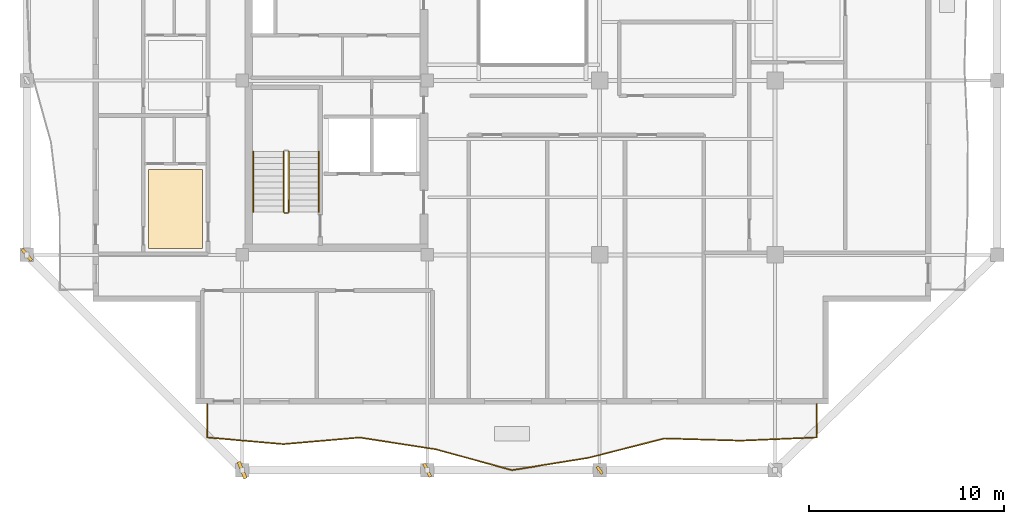
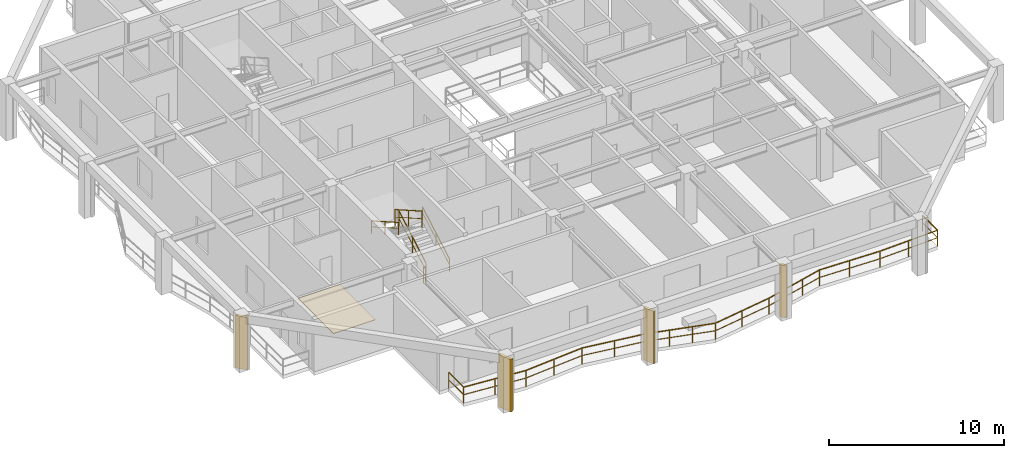
# One storey, part 7 of 11: 6 railings, 4 shading devices, 1 covering.
"""IFC4 building model written with IfcOpenShell, lengths in metres."""

from ifc_helpers import new_model, si_unit, direction, frame, origin, origin_2d, place, context, subcontext, project, spatial, polyline, rectangle, outline, extrude, material, layer, layer_set, type_object, element, save


model = new_model("IFC4")

# Units and contexts
model_context = context("Model", 3, precision=1e-05, world=origin(), true_north=direction((0.0, 1.0)))
body_context = subcontext(model_context, "Body", "Model", "MODEL_VIEW")
ifc_project = project(units=[si_unit("LENGTHUNIT", "METRE"), si_unit("AREAUNIT", "SQUARE_METRE"), si_unit("VOLUMEUNIT", "CUBIC_METRE"), si_unit("PLANEANGLEUNIT", "RADIAN"), si_unit("MASSUNIT", "GRAM", prefix="KILO")], contexts=[model_context])

# Site, building, storey
site_placement = place(None, origin())
site = spatial("IfcSite", under=ifc_project, at=site_placement, CompositionType="ELEMENT")
building_placement = place(site_placement, origin())
building = spatial("IfcBuilding", under=site, at=building_placement, Name="Kundavana Baori Tower", CompositionType="ELEMENT")
storey_placement = place(building_placement, frame((0.0, 0.0, 260.89990234375)))
storey = spatial("IfcBuildingStorey", under=building, at=storey_placement, Name="L64", CompositionType="ELEMENT", Elevation=260.89990234375)

# Covering
ifc_material_1 = material(Name="Honed Kota Stone and Terrazzo Flooring", Category="masonry")
ifc_layer = layer(ifc_material_1, 0.0400390625, Name="COV-FLR-TERR-40")
ifc_layer_set = layer_set([ifc_layer], Name="Honed Kota Stone and Terrazzo Flooring")
covering_type = type_object("IfcCoveringType", Name="COV-FLR-TERR-40", PredefinedType="FLOORING", material=ifc_layer_set)
covering_placement = place(storey_placement, origin())
element("IfcCovering", 1, at=covering_placement, inside=storey, type_object=covering_type, Name="L64 Room Finished Stone Flooring 1", PredefinedType="FLOORING", context=body_context, shape_type="SweptSolid", body=[
    extrude(outline(polyline([(10.64990234375, 15.580078125), (13.419921875, 15.580078125), (13.419921875, 19.639892578125), (10.64990234375, 19.639892578125), (10.64990234375, 15.580078125)])), origin(), (0.0, 0.0, 1.0), 0.0400390625),
])

# Railings
ifc_material_2 = material(Name="Architectural Patinated Bronze Metalwork")
railing_type_1 = type_object("IfcRailingType", Name="RL-BAL-1150", PredefinedType="BALUSTRADE", material=ifc_material_2)
railing_1_placement = place(storey_placement, frame((44.949951171875, 7.60009765625, 0.0)))
element("IfcRailing", 2, at=railing_1_placement, inside=storey, type_object=railing_type_1, Name="L64 Loggia Balcony Balustrade S", PredefinedType="BALUSTRADE", context=body_context, shape_type="SweptSolid", body=[
    extrude(rectangle(XDim=0.048095703125, YDim=0.048095703125, at=origin_2d()), frame((0.0, 0.0, 1.1259765625), z_axis=(0.0, -1.0, 0.0), x_axis=(1.0, 0.0, 0.0)), (0.0, 0.0, 1.0), 1.72021484375),
    extrude(rectangle(XDim=0.03125, YDim=0.03125, at=origin_2d()), frame((0.0, 0.0, 0.597900390625), z_axis=(0.0, -1.0, 0.0), x_axis=(1.0, 0.0, 0.0)), (0.0, 0.0, 1.0), 1.72021484375),
    extrude(rectangle(XDim=0.048095703125, YDim=0.048095703125, at=origin_2d()), frame((0.0, -1.72021484375, 1.1259765625), z_axis=(-0.999090083647, -0.042649792, 0.0), x_axis=(0.042649792, -0.999090083647, 0.0)), (0.0, 0.0, 1.0), 3.91552734375),
    extrude(rectangle(XDim=0.03125, YDim=0.03125, at=origin_2d()), frame((0.0, -1.72021484375, 0.597900390625), z_axis=(-0.999090083647, -0.042649792, 0.0), x_axis=(0.042649792, -0.999090083647, 0.0)), (0.0, 0.0, 1.0), 3.91552734375),
    extrude(rectangle(XDim=0.048095703125, YDim=0.048095703125, at=origin_2d()), frame((-3.911865234375, -1.88720703125, 1.1259765625), z_axis=(-0.999583033059, 0.028874902939, 0.0), x_axis=(-0.028874902939, -0.999583033059, 0.0)), (0.0, 0.0, 1.0), 3.914794921875),
    extrude(rectangle(XDim=0.03125, YDim=0.03125, at=origin_2d()), frame((-3.911865234375, -1.88720703125, 0.597900390625), z_axis=(-0.999583033059, 0.028874902939, 0.0), x_axis=(-0.028874902939, -0.999583033059, 0.0)), (0.0, 0.0, 1.0), 3.914794921875),
    extrude(rectangle(XDim=0.048095703125, YDim=0.048095703125, at=origin_2d()), frame((-7.824951171875, -1.774169921875, 1.1259765625), z_axis=(-0.969152617232, -0.246461365153, 0.0), x_axis=(0.246461365153, -0.969152617232, 0.0)), (0.0, 0.0, 1.0), 4.03662109375),
    extrude(rectangle(XDim=0.03125, YDim=0.03125, at=origin_2d()), frame((-7.824951171875, -1.774169921875, 0.597900390625), z_axis=(-0.969152617232, -0.246461365153, 0.0), x_axis=(0.246461365153, -0.969152617232, 0.0)), (0.0, 0.0, 1.0), 4.03662109375),
    extrude(rectangle(XDim=0.048095703125, YDim=0.048095703125, at=origin_2d()), frame((-11.737060546875, -2.76904296875, 1.1259765625), z_axis=(-0.987241120713, -0.159232438825, 0.0), x_axis=(0.159232438825, -0.987241120713, 0.0)), (0.0, 0.0, 1.0), 3.96337890625),
    extrude(rectangle(XDim=0.03125, YDim=0.03125, at=origin_2d()), frame((-11.737060546875, -2.76904296875, 0.597900390625), z_axis=(-0.987241120713, -0.159232438825, 0.0), x_axis=(0.159232438825, -0.987241120713, 0.0)), (0.0, 0.0, 1.0), 3.96337890625),
    extrude(rectangle(XDim=0.048095703125, YDim=0.048095703125, at=origin_2d()), frame((-15.64990234375, -3.400146484375, 1.1259765625), z_axis=(-0.964567688051, 0.263835507784, 0.0), x_axis=(-0.263835507784, -0.964567688051, 0.0)), (0.0, 0.0, 1.0), 4.055908203125),
    extrude(rectangle(XDim=0.03125, YDim=0.03125, at=origin_2d()), frame((-15.64990234375, -3.400146484375, 0.597900390625), z_axis=(-0.964567688051, 0.263835507784, 0.0), x_axis=(-0.263835507784, -0.964567688051, 0.0)), (0.0, 0.0, 1.0), 4.055908203125),
    extrude(rectangle(XDim=0.048095703125, YDim=0.048095703125, at=origin_2d()), frame((-19.56201171875, -2.330078125, 1.1259765625), z_axis=(-0.988294579625, 0.15255760841, 0.0), x_axis=(-0.15255760841, -0.988294579625, 0.0)), (0.0, 0.0, 1.0), 3.959228515625),
    extrude(rectangle(XDim=0.03125, YDim=0.03125, at=origin_2d()), frame((-19.56201171875, -2.330078125, 0.597900390625), z_axis=(-0.988294579625, 0.15255760841, 0.0), x_axis=(-0.15255760841, -0.988294579625, 0.0)), (0.0, 0.0, 1.0), 3.959228515625),
    extrude(rectangle(XDim=0.048095703125, YDim=0.048095703125, at=origin_2d()), frame((-23.474853515625, -1.72607421875, 1.1259765625), z_axis=(-0.996265968205, -0.086337249179, 0.0), x_axis=(0.086337249179, -0.996265968205, 0.0)), (0.0, 0.0, 1.0), 3.927734375),
    extrude(rectangle(XDim=0.03125, YDim=0.03125, at=origin_2d()), frame((-23.474853515625, -1.72607421875, 0.597900390625), z_axis=(-0.996265968205, -0.086337249179, 0.0), x_axis=(0.086337249179, -0.996265968205, 0.0)), (0.0, 0.0, 1.0), 3.927734375),
    extrude(rectangle(XDim=0.048095703125, YDim=0.048095703125, at=origin_2d()), frame((-27.387939453125, -2.065185546875, 1.1259765625), z_axis=(-0.996134650998, 0.087839382293, 0.0), x_axis=(-0.087839382293, -0.996134650998, 0.0)), (0.0, 0.0, 1.0), 3.92724609375),
    extrude(rectangle(XDim=0.03125, YDim=0.03125, at=origin_2d()), frame((-27.387939453125, -2.065185546875, 0.597900390625), z_axis=(-0.996134650998, 0.087839382293, 0.0), x_axis=(-0.087839382293, -0.996134650998, 0.0)), (0.0, 0.0, 1.0), 3.92724609375),
    extrude(rectangle(XDim=0.048095703125, YDim=0.048095703125, at=origin_2d()), frame((-31.300048828125, -1.72021484375, 1.1259765625), z_axis=(0.0, 1.0, 0.0), x_axis=(-1.0, 0.0, 0.0)), (0.0, 0.0, 1.0), 1.72021484375),
    extrude(rectangle(XDim=0.03125, YDim=0.03125, at=origin_2d()), frame((-31.300048828125, -1.72021484375, 0.597900390625), z_axis=(0.0, 1.0, 0.0), x_axis=(-1.0, 0.0, 0.0)), (0.0, 0.0, 1.0), 1.72021484375),
    extrude(rectangle(XDim=0.0419921875, YDim=0.0419921875, at=origin_2d()), origin(), (0.0, 0.0, 1.0), 1.101806640625),
    extrude(rectangle(XDim=0.0419921875, YDim=0.0419921875, at=origin_2d()), frame((0.0, -1.72021484375, 0.0)), (0.0, 0.0, 1.0), 1.101806640625),
    extrude(rectangle(XDim=0.0419921875, YDim=0.0419921875, at=origin_2d()), frame((-1.9560546875, -1.8037109375, 0.0)), (0.0, 0.0, 1.0), 1.101806640625),
    extrude(rectangle(XDim=0.0419921875, YDim=0.0419921875, at=origin_2d()), frame((-3.911865234375, -1.88720703125, 0.0)), (0.0, 0.0, 1.0), 1.101806640625),
    extrude(rectangle(XDim=0.0419921875, YDim=0.0419921875, at=origin_2d()), frame((-5.868408203125, -1.83056640625, 0.0)), (0.0, 0.0, 1.0), 1.101806640625),
    extrude(rectangle(XDim=0.0419921875, YDim=0.0419921875, at=origin_2d()), frame((-7.824951171875, -1.774169921875, 0.0)), (0.0, 0.0, 1.0), 1.101806640625),
    extrude(rectangle(XDim=0.0419921875, YDim=0.0419921875, at=origin_2d()), frame((-9.12890625, -2.105712890625, 0.0)), (0.0, 0.0, 1.0), 1.101806640625),
    extrude(rectangle(XDim=0.0419921875, YDim=0.0419921875, at=origin_2d()), frame((-10.43310546875, -2.4375, 0.0)), (0.0, 0.0, 1.0), 1.101806640625),
    extrude(rectangle(XDim=0.0419921875, YDim=0.0419921875, at=origin_2d()), frame((-11.737060546875, -2.76904296875, 0.0)), (0.0, 0.0, 1.0), 1.101806640625),
    extrude(rectangle(XDim=0.0419921875, YDim=0.0419921875, at=origin_2d()), frame((-13.693359375, -3.08447265625, 0.0)), (0.0, 0.0, 1.0), 1.101806640625),
    extrude(rectangle(XDim=0.0419921875, YDim=0.0419921875, at=origin_2d()), frame((-15.64990234375, -3.400146484375, 0.0)), (0.0, 0.0, 1.0), 1.101806640625),
    extrude(rectangle(XDim=0.0419921875, YDim=0.0419921875, at=origin_2d()), frame((-16.953857421875, -3.04345703125, 0.0)), (0.0, 0.0, 1.0), 1.101806640625),
    extrude(rectangle(XDim=0.0419921875, YDim=0.0419921875, at=origin_2d()), frame((-18.258056640625, -2.686767578125, 0.0)), (0.0, 0.0, 1.0), 1.101806640625),
    extrude(rectangle(XDim=0.0419921875, YDim=0.0419921875, at=origin_2d()), frame((-19.56201171875, -2.330078125, 0.0)), (0.0, 0.0, 1.0), 1.101806640625),
    extrude(rectangle(XDim=0.0419921875, YDim=0.0419921875, at=origin_2d()), frame((-21.5185546875, -2.028076171875, 0.0)), (0.0, 0.0, 1.0), 1.101806640625),
    extrude(rectangle(XDim=0.0419921875, YDim=0.0419921875, at=origin_2d()), frame((-23.474853515625, -1.72607421875, 0.0)), (0.0, 0.0, 1.0), 1.101806640625),
    extrude(rectangle(XDim=0.0419921875, YDim=0.0419921875, at=origin_2d()), frame((-25.431396484375, -1.8955078125, 0.0)), (0.0, 0.0, 1.0), 1.101806640625),
    extrude(rectangle(XDim=0.0419921875, YDim=0.0419921875, at=origin_2d()), frame((-27.387939453125, -2.065185546875, 0.0)), (0.0, 0.0, 1.0), 1.101806640625),
    extrude(rectangle(XDim=0.0419921875, YDim=0.0419921875, at=origin_2d()), frame((-29.343994140625, -1.892578125, 0.0)), (0.0, 0.0, 1.0), 1.101806640625),
    extrude(rectangle(XDim=0.0419921875, YDim=0.0419921875, at=origin_2d()), frame((-31.300048828125, -1.72021484375, 0.0)), (0.0, 0.0, 1.0), 1.101806640625),
    extrude(rectangle(XDim=0.0419921875, YDim=0.0419921875, at=origin_2d()), frame((-31.300048828125, 0.0, 0.0)), (0.0, 0.0, 1.0), 1.101806640625),
])
ifc_material_3 = material(Name="Architectural Patinated Bronze Metalwork")
railing_type_2 = type_object("IfcRailingType", Name="RL-GRD-1150", PredefinedType="GUARDRAIL", material=ifc_material_3)
railing_2_placement = place(storey_placement, frame((17.840087890625, 17.449951171875, 0.177490234375)))
element("IfcRailing", 3, at=railing_2_placement, inside=storey, type_object=railing_type_2, Name="L64 ST1 stair guard 1", PredefinedType="GUARDRAIL", context=body_context, shape_type="SweptSolid", body=[
    extrude(rectangle(XDim=0.048095703125, YDim=0.048095703125, at=origin_2d()), frame((0.0, 0.0, 1.1259765625), z_axis=(0.0, 0.868095856688, 0.496396599103), x_axis=(-1.0, 0.0, 0.0)), (0.0, 0.0, 1.0), 3.571044921875),
    extrude(rectangle(XDim=0.03125, YDim=0.03125, at=origin_2d()), frame((0.0, 0.0, 0.597900390625), z_axis=(0.0, 0.868095856688, 0.496396599103), x_axis=(-1.0, 0.0, 0.0)), (0.0, 0.0, 1.0), 3.571044921875),
    extrude(rectangle(XDim=0.0419921875, YDim=0.0419921875, at=origin_2d()), origin(), (0.0, 0.0, 1.0), 1.101806640625),
    extrude(rectangle(XDim=0.0419921875, YDim=0.0419921875, at=origin_2d()), frame((0.0, 1.550048828125, 0.88623046875)), (0.0, 0.0, 1.0), 1.101806640625),
    extrude(rectangle(XDim=0.0419921875, YDim=0.0419921875, at=origin_2d()), frame((0.0, 3.10009765625, 1.772705078125)), (0.0, 0.0, 1.0), 1.101806640625),
])
railing_3_placement = place(storey_placement, frame((17.580078125, 20.550048828125, 2.12744140625)))
element("IfcRailing", 4, at=railing_3_placement, inside=storey, type_object=railing_type_2, Name="L64 ST1 stair guard 3", PredefinedType="GUARDRAIL", context=body_context, shape_type="SweptSolid", body=[
    extrude(rectangle(XDim=0.048095703125, YDim=0.048095703125, at=origin_2d()), frame((0.0, 0.0, 1.1259765625), z_axis=(0.0, -0.868095856688, 0.496396599103), x_axis=(1.0, 0.0, 0.0)), (0.0, 0.0, 1.0), 3.571044921875),
    extrude(rectangle(XDim=0.03125, YDim=0.03125, at=origin_2d()), frame((0.0, 0.0, 0.597900390625), z_axis=(0.0, -0.868095856688, 0.496396599103), x_axis=(1.0, 0.0, 0.0)), (0.0, 0.0, 1.0), 3.571044921875),
    extrude(rectangle(XDim=0.0419921875, YDim=0.0419921875, at=origin_2d()), origin(), (0.0, 0.0, 1.0), 1.101806640625),
    extrude(rectangle(XDim=0.0419921875, YDim=0.0419921875, at=origin_2d()), frame((0.0, -1.550048828125, 0.88623046875)), (0.0, 0.0, 1.0), 1.101806640625),
    extrude(rectangle(XDim=0.0419921875, YDim=0.0419921875, at=origin_2d()), frame((0.0, -3.10009765625, 1.772705078125)), (0.0, 0.0, 1.0), 1.101806640625),
])
railing_4_placement = place(storey_placement, frame((17.7900390625, 17.39990234375, 0.0)))
element("IfcRailing", 5, at=railing_4_placement, inside=storey, type_object=railing_type_2, Name="L64 ST1 stair guard 4", PredefinedType="GUARDRAIL", context=body_context, shape_type="SweptSolid", body=[
    extrude(rectangle(XDim=0.048095703125, YDim=0.048095703125, at=origin_2d()), frame((0.0, 0.0, 1.1259765625), z_axis=(-1.0, 0.0, 0.0), x_axis=(0.0, -1.0, 0.0)), (0.0, 0.0, 1.0), 0.16015625),
    extrude(rectangle(XDim=0.03125, YDim=0.03125, at=origin_2d()), frame((0.0, 0.0, 0.597900390625), z_axis=(-1.0, 0.0, 0.0), x_axis=(0.0, -1.0, 0.0)), (0.0, 0.0, 1.0), 0.16015625),
    extrude(rectangle(XDim=0.0419921875, YDim=0.0419921875, at=origin_2d()), origin(), (0.0, 0.0, 1.0), 1.101806640625),
    extrude(rectangle(XDim=0.0419921875, YDim=0.0419921875, at=origin_2d()), frame((-0.16015625, 0.0, 0.0)), (0.0, 0.0, 1.0), 1.101806640625),
])
ifc_material_4 = material(Name="Architectural Patinated Bronze Metalwork")
railing_type_3 = type_object("IfcRailingType", Name="RL-HND-920", PredefinedType="HANDRAIL", material=ifc_material_4)
railing_5_placement = place(storey_placement, frame((19.389892578125, 17.449951171875, 0.177490234375)))
element("IfcRailing", 6, at=railing_5_placement, inside=storey, type_object=railing_type_3, Name="L64 ST1 stair handrail 1", PredefinedType="HANDRAIL", context=body_context, shape_type="SweptSolid", body=[
    extrude(rectangle(XDim=0.048095703125, YDim=0.048095703125, at=origin_2d()), frame((0.0, 0.0, 0.8759765625), z_axis=(0.0, 0.868095856688, 0.496396599103), x_axis=(-1.0, 0.0, 0.0)), (0.0, 0.0, 1.0), 3.571044921875),
    extrude(rectangle(XDim=0.03125, YDim=0.03125, at=origin_2d()), frame((0.0, 0.0, 0.468017578125), z_axis=(0.0, 0.868095856688, 0.496396599103), x_axis=(-1.0, 0.0, 0.0)), (0.0, 0.0, 1.0), 3.571044921875),
    extrude(rectangle(XDim=0.0419921875, YDim=0.0419921875, at=origin_2d()), origin(), (0.0, 0.0, 1.0), 0.851806640625),
    extrude(rectangle(XDim=0.0419921875, YDim=0.0419921875, at=origin_2d()), frame((0.0, 1.550048828125, 0.88623046875)), (0.0, 0.0, 1.0), 0.851806640625),
    extrude(rectangle(XDim=0.0419921875, YDim=0.0419921875, at=origin_2d()), frame((0.0, 3.10009765625, 1.772705078125)), (0.0, 0.0, 1.0), 0.851806640625),
])
railing_6_placement = place(storey_placement, frame((16.030029296875, 20.550048828125, 2.12744140625)))
element("IfcRailing", 7, at=railing_6_placement, inside=storey, type_object=railing_type_3, Name="L64 ST1 stair handrail 2", PredefinedType="HANDRAIL", context=body_context, shape_type="SweptSolid", body=[
    extrude(rectangle(XDim=0.048095703125, YDim=0.048095703125, at=origin_2d()), frame((0.0, 0.0, 0.8759765625), z_axis=(0.0, -0.868095856688, 0.496396599103), x_axis=(1.0, 0.0, 0.0)), (0.0, 0.0, 1.0), 3.571044921875),
    extrude(rectangle(XDim=0.03125, YDim=0.03125, at=origin_2d()), frame((0.0, 0.0, 0.468017578125), z_axis=(0.0, -0.868095856688, 0.496396599103), x_axis=(1.0, 0.0, 0.0)), (0.0, 0.0, 1.0), 3.571044921875),
    extrude(rectangle(XDim=0.0419921875, YDim=0.0419921875, at=origin_2d()), origin(), (0.0, 0.0, 1.0), 0.851806640625),
    extrude(rectangle(XDim=0.0419921875, YDim=0.0419921875, at=origin_2d()), frame((0.0, -1.550048828125, 0.88623046875)), (0.0, 0.0, 1.0), 0.851806640625),
    extrude(rectangle(XDim=0.0419921875, YDim=0.0419921875, at=origin_2d()), frame((0.0, -3.10009765625, 1.772705078125)), (0.0, 0.0, 1.0), 0.851806640625),
])

# Shading devices
ifc_material_5 = material(Name="Red-Buff Dholpur Sandstone Cladding on Concrete C40/50", Category="masonry")
shading_device_type_1 = type_object("IfcShadingDeviceType", Name="SHD-FIN-750", PredefinedType="JALOUSIE", material=ifc_material_5)
for number, where, z_axis, x_axis, name in (
    (8, (24.949951171875, 4.199951171875, 0.0), (0.0, 0.0, 1.0), (0.904007947873, 0.427515649049, 0.0), "L64 Sweeping Dholpur Sandstone Facade Fin 2"),
    (9, (4.39990234375, 15.25, 0.0), (0.0, 0.0, 1.0), (0.769733907611, 0.638364873308, 0.0), "L64 Sweeping Dholpur Sandstone Facade Fin 5"),
):
    element("IfcShadingDevice", number, at=place(storey_placement, frame(where, z_axis=z_axis, x_axis=x_axis)), inside=storey, type_object=shading_device_type_1, Name=name, PredefinedType="JALOUSIE", context=body_context, shape_type="SweptSolid", body=[
        extrude(rectangle(XDim=0.159912109375, YDim=0.75, at=origin_2d()), origin(), (0.0, 0.0, 1.0), 3.659912109375),
    ])
ifc_material_6 = material(Name="Red-Buff Dholpur Sandstone Cladding on Concrete C40/50", Category="masonry")
shading_device_type_2 = type_object("IfcShadingDeviceType", Name="SHD-FIN-920", PredefinedType="JALOUSIE", material=ifc_material_6)
shading_device_1_placement = place(storey_placement, frame((15.449951171875, 4.199951171875, 0.0), z_axis=(0.0, 0.0, 1.0), x_axis=(0.926331513311, 0.376709340802, 0.0)))
element("IfcShadingDevice", 10, at=shading_device_1_placement, inside=storey, type_object=shading_device_type_2, Name="L64 Sweeping Dholpur Sandstone Facade Fin 1", PredefinedType="JALOUSIE", context=body_context, shape_type="SweptSolid", body=[
    extrude(rectangle(XDim=0.179931640625, YDim=0.919921875, at=origin_2d()), origin(), (0.0, 0.0, 1.0), 3.659912109375),
])
ifc_material_7 = material(Name="Architectural Patinated Bronze Metalwork")
shading_device_type_3 = type_object("IfcShadingDeviceType", Name="SHD-LOUV-450", PredefinedType="SHUTTER", material=ifc_material_7)
shading_device_2_placement = place(storey_placement, frame((33.800048828125, 4.199951171875, 0.0), z_axis=(0.0, 0.0, 1.0), x_axis=(0.822739738254, 0.568418264219, 0.0)))
element("IfcShadingDevice", 11, at=shading_device_2_placement, inside=storey, type_object=shading_device_type_3, Name="L64 Sweeping Dholpur Sandstone Facade Fin 3", PredefinedType="SHUTTER", context=body_context, shape_type="SweptSolid", body=[
    extrude(rectangle(XDim=0.139892578125, YDim=0.449951171875, at=origin_2d()), origin(), (0.0, 0.0, 1.0), 3.659912109375),
])

save(model, "model.ifc")
